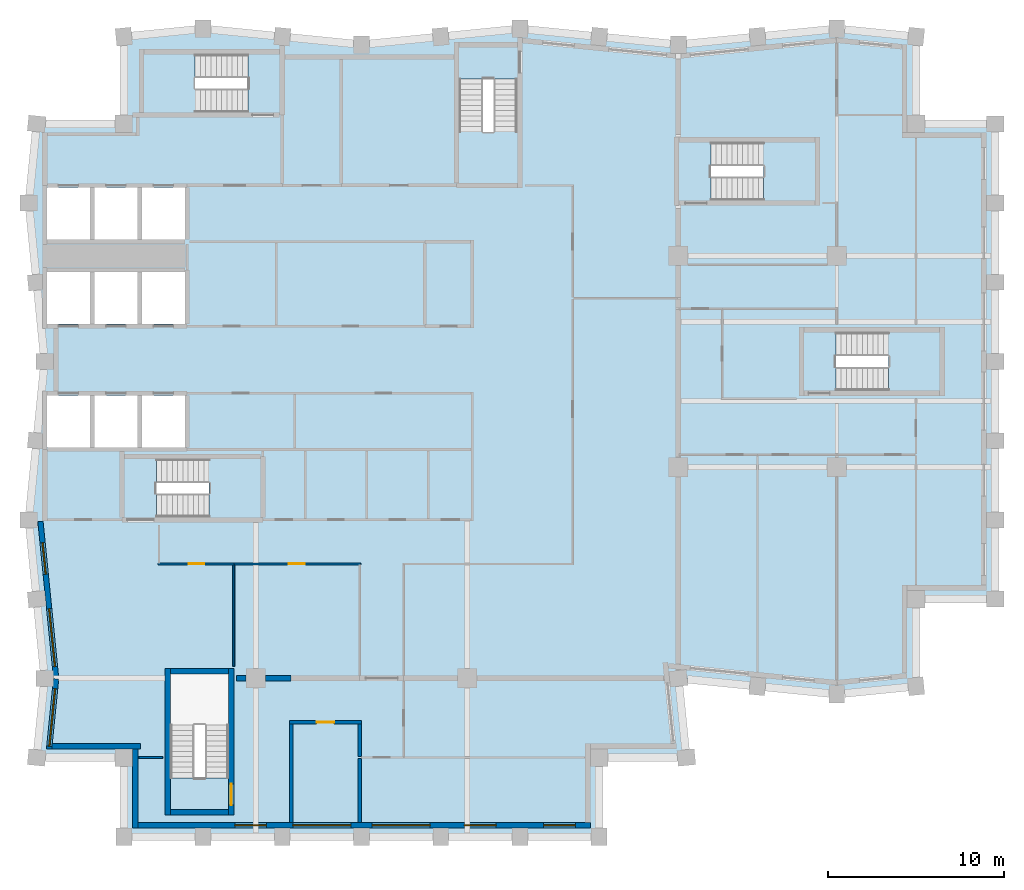
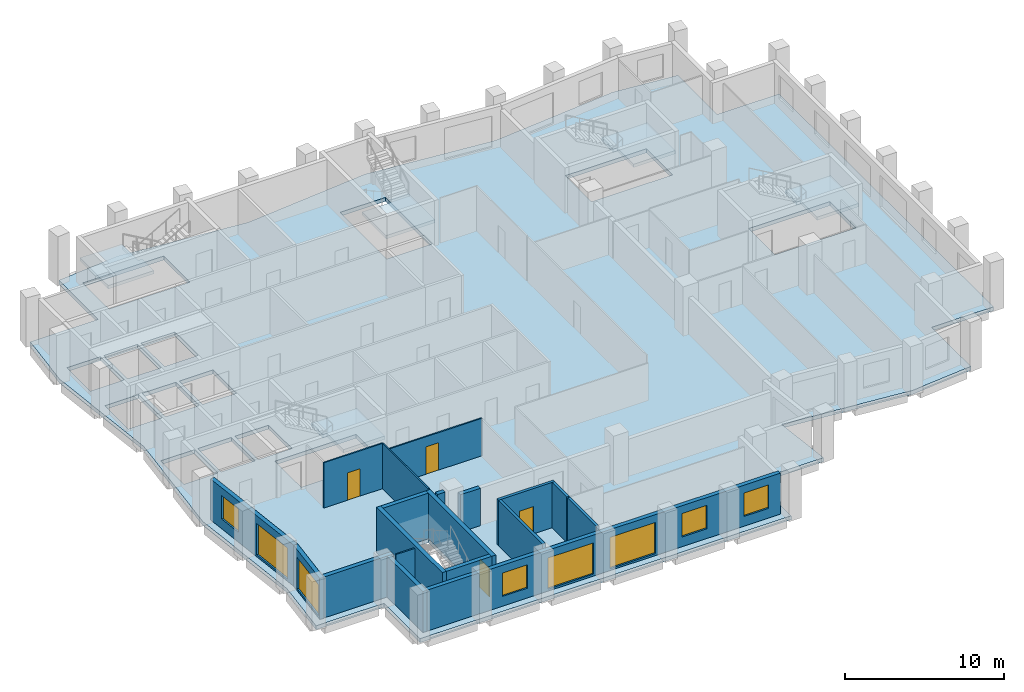
# One storey, part 2 of 8: 19 walls, 8 windows, 6 slabs, 4 doors, 12 openings, 5 elements without a shape of their own.
"""IFC4 building model written with IfcOpenShell, lengths in metres."""

from ifc_helpers import new_model, si_unit, direction, frame, frame_2d, origin, place, context, subcontext, project, spatial, polyline, rectangle, outline, extrude, material, layer, layer_set, type_object, element, fill, aggregate, save


model = new_model("IFC4")

# Units and contexts
model_context = context("Model", 3, precision=1e-05, world=origin(), true_north=direction((0.0, 1.0)))
body_context = subcontext(model_context, "Body", "Model", "MODEL_VIEW")
ifc_project = project(units=[si_unit("LENGTHUNIT", "METRE"), si_unit("AREAUNIT", "SQUARE_METRE"), si_unit("VOLUMEUNIT", "CUBIC_METRE"), si_unit("PLANEANGLEUNIT", "RADIAN"), si_unit("MASSUNIT", "GRAM", prefix="KILO")], contexts=[model_context])

# Site, building, storey
site_placement = place(None, origin())
site = spatial("IfcSite", under=ifc_project, at=site_placement, CompositionType="ELEMENT")
building_placement = place(site_placement, origin())
building = spatial("IfcBuilding", under=site, at=building_placement, Name="Brondeck Convention Tower", CompositionType="ELEMENT")
storey_placement = place(building_placement, frame((0.0, 0.0, 225.39990234375)))
storey = spatial("IfcBuildingStorey", under=building, at=storey_placement, Name="L55", CompositionType="ELEMENT", Elevation=225.39990234375)

# Slab
ifc_material_1 = material(Name="Concrete C35/45", Category="concrete")
ifc_layer_1 = layer(ifc_material_1, 0.300048828125)
ifc_layer_set_1 = layer_set([ifc_layer_1], Name="Composite floor slab 300")
slab_type_1 = type_object("IfcSlabType", Name="Composite floor slab 300", PredefinedType="FLOOR", material=ifc_layer_set_1)
slab_1_placement = place(storey_placement, frame((0.0, 0.0, -0.2998046875)))
element("IfcSlab", 1, at=slab_1_placement, inside=storey, type_object=slab_type_1, Name="STR-SL-L55", PredefinedType="FLOOR", context=body_context, shape_type="SweptSolid", body=[
    extrude(outline(polyline([(4.5, 22.5), (-0.449951171875, 22.5), (0.0, 27.0), (-0.89990234375, 36.0), (0.0, 45.0), (-0.89990234375, 54.0), (-0.449951171875, 58.5), (4.5, 58.5), (4.5, 63.449951171875), (9.0, 63.89990234375), (18.0, 63.0), (27.0, 63.89990234375), (36.0, 63.0), (45.0, 63.89990234375), (49.5, 63.449951171875), (49.5, 58.5), (54.0, 58.5), (54.0, 31.5), (49.5, 31.5), (49.5, 26.550048828125), (45.0, 26.10009765625), (36.0, 27.0), (36.449951171875, 22.5), (31.5, 22.5), (31.5, 18.0), (4.5, 18.0), (4.5, 22.5)]), holes=[polyline([(2.574951171875, 43.074951171875), (0.125, 43.074951171875), (0.125, 40.125), (2.574951171875, 40.125), (2.574951171875, 43.074951171875)]), polyline([(5.27490234375, 40.125), (5.27490234375, 43.074951171875), (2.824951171875, 43.074951171875), (2.824951171875, 40.125), (5.27490234375, 40.125)]), polyline([(7.97509765625, 40.125), (7.97509765625, 43.074951171875), (5.52490234375, 43.074951171875), (5.52490234375, 40.125), (7.97509765625, 40.125)]), polyline([(2.574951171875, 47.125), (2.574951171875, 50.074951171875), (0.125, 50.074951171875), (0.125, 47.125), (2.574951171875, 47.125)]), polyline([(5.27490234375, 47.125), (5.27490234375, 50.074951171875), (2.824951171875, 50.074951171875), (2.824951171875, 47.125), (5.27490234375, 47.125)]), polyline([(7.97509765625, 47.125), (7.97509765625, 50.074951171875), (5.52490234375, 50.074951171875), (5.52490234375, 47.125), (7.97509765625, 47.125)]), polyline([(2.574951171875, 51.925048828125), (2.574951171875, 54.875), (0.125, 54.875), (0.125, 51.925048828125), (2.574951171875, 51.925048828125)]), polyline([(5.27490234375, 51.925048828125), (5.27490234375, 54.875), (2.824951171875, 54.875), (2.824951171875, 51.925048828125), (5.27490234375, 51.925048828125)]), polyline([(10.447998046875, 27.248046875), (7.152099609375, 27.248046875), (7.152099609375, 21.35205078125), (10.447998046875, 21.35205078125), (10.447998046875, 27.248046875)]), polyline([(12.248046875, 36.152099609375), (12.248046875, 39.447998046875), (6.35205078125, 39.447998046875), (6.35205078125, 36.152099609375), (12.248046875, 36.152099609375)]), polyline([(50.847900390625, 43.35205078125), (50.847900390625, 46.64794921875), (44.951904296875, 46.64794921875), (44.951904296875, 43.35205078125), (50.847900390625, 43.35205078125)]), polyline([(7.97509765625, 51.925048828125), (7.97509765625, 54.875), (5.52490234375, 54.875), (5.52490234375, 51.925048828125), (7.97509765625, 51.925048828125)]), polyline([(43.748046875, 54.152099609375), (43.748046875, 57.447998046875), (37.85205078125, 57.447998046875), (37.85205078125, 54.152099609375), (43.748046875, 54.152099609375)]), polyline([(23.552001953125, 55.152099609375), (26.847900390625, 55.152099609375), (26.847900390625, 61.048095703125), (23.552001953125, 61.048095703125), (23.552001953125, 55.152099609375)]), polyline([(5.652099609375, 62.447998046875), (5.652099609375, 59.152099609375), (11.548095703125, 59.152099609375), (11.548095703125, 62.447998046875), (5.652099609375, 62.447998046875)])]), origin(), (0.0, 0.0, 1.0), 0.2998046875),
])

# Stair, slab
ifc_material_2 = material(Name="Precast concrete C50/60", Category="concrete")
stair_type = type_object("IfcStairType", Name="Core stair 22 risers 172.73 mm riser 300 mm going 1350 wide", PredefinedType="HALF_TURN_STAIR", material=ifc_material_2)
stair_1_placement = place(storey_placement, origin())
stair_1 = element("IfcStair", 2, at=stair_1_placement, inside=storey, type_object=stair_type, Name="ST-1 L55 stair", PredefinedType="HALF_TURN_STAIR")
ifc_layer_2 = layer(ifc_material_2, 0.25)
ifc_layer_set_2 = layer_set([ifc_layer_2], Name="Core stair landing 250 Precast concrete C50/60")
slab_type_2 = type_object("IfcSlabType", Name="Core stair landing 250 Precast concrete C50/60", PredefinedType="LANDING", material=ifc_layer_set_2)
slab_2_placement = place(storey_placement, frame((0.0, 0.0, 1.650146484375)))
slab_2 = element("IfcSlab", 3, at=slab_2_placement, type_object=slab_type_2, Name="ST-1 landing 1", PredefinedType="LANDING", context=body_context, shape_type="SweptSolid", body=[
    extrude(outline(polyline([(9.347900390625, 37.5), (9.35009765625, 37.5), (9.35009765625, 38.10009765625), (9.050048828125, 38.10009765625), (9.050048828125, 39.570068359375), (12.3701171875, 39.570068359375), (12.3701171875, 36.030029296875), (9.347900390625, 36.030029296875), (9.347900390625, 37.5)])), origin(), (0.0, 0.0, 1.0), 0.25),
])
aggregate(stair_1, [slab_2])

stair_2_placement = place(storey_placement, origin())
stair_2 = element("IfcStair", 4, at=stair_2_placement, inside=storey, type_object=stair_type, Name="ST-2 L55 stair", PredefinedType="HALF_TURN_STAIR")
slab_3_placement = place(storey_placement, frame((0.0, 0.0, 1.650146484375)))
slab_3 = element("IfcSlab", 5, at=slab_3_placement, type_object=slab_type_2, Name="ST-2 landing 1", PredefinedType="LANDING", context=body_context, shape_type="SweptSolid", body=[
    extrude(outline(polyline([(23.429931640625, 58.052001953125), (24.89990234375, 58.052001953125), (24.89990234375, 58.050048828125), (25.5, 58.050048828125), (25.5, 58.35009765625), (26.969970703125, 58.35009765625), (26.969970703125, 55.030029296875), (23.429931640625, 55.030029296875), (23.429931640625, 58.052001953125)])), origin(), (0.0, 0.0, 1.0), 0.25),
])
aggregate(stair_2, [slab_3])

stair_3_placement = place(storey_placement, origin())
stair_3 = element("IfcStair", 6, at=stair_3_placement, inside=storey, type_object=stair_type, Name="ST-3 L55 stair", PredefinedType="HALF_TURN_STAIR")
slab_4_placement = place(storey_placement, frame((0.0, 0.0, 1.650146484375)))
slab_4 = element("IfcSlab", 7, at=slab_4_placement, type_object=slab_type_2, Name="ST-3 landing 1", PredefinedType="LANDING", context=body_context, shape_type="SweptSolid", body=[
    extrude(outline(polyline([(8.85009765625, 60.5), (8.85009765625, 59.030029296875), (5.530029296875, 59.030029296875), (5.530029296875, 62.570068359375), (8.552001953125, 62.570068359375), (8.552001953125, 61.10009765625), (8.550048828125, 61.10009765625), (8.550048828125, 60.5), (8.85009765625, 60.5)])), origin(), (0.0, 0.0, 1.0), 0.25),
])
aggregate(stair_3, [slab_4])

stair_4_placement = place(storey_placement, origin())
stair_4 = element("IfcStair", 8, at=stair_4_placement, inside=storey, type_object=stair_type, Name="ST-AE L55 stair", PredefinedType="HALF_TURN_STAIR")
slab_5_placement = place(storey_placement, frame((0.0, 0.0, 1.650146484375)))
slab_5 = element("IfcSlab", 9, at=slab_5_placement, type_object=slab_type_2, Name="ST-AE landing 1", PredefinedType="LANDING", context=body_context, shape_type="SweptSolid", body=[
    extrude(outline(polyline([(40.847900390625, 55.5), (40.85009765625, 55.5), (40.85009765625, 56.10009765625), (40.550048828125, 56.10009765625), (40.550048828125, 57.570068359375), (43.8701171875, 57.570068359375), (43.8701171875, 54.030029296875), (40.847900390625, 54.030029296875), (40.847900390625, 55.5)])), origin(), (0.0, 0.0, 1.0), 0.25),
])
aggregate(stair_4, [slab_5])

stair_5_placement = place(storey_placement, origin())
stair_5 = element("IfcStair", 10, at=stair_5_placement, inside=storey, type_object=stair_type, Name="ST-AF L55 stair", PredefinedType="HALF_TURN_STAIR")
slab_6_placement = place(storey_placement, frame((0.0, 0.0, 1.650146484375)))
slab_6 = element("IfcSlab", 11, at=slab_6_placement, type_object=slab_type_2, Name="ST-AF landing 1", PredefinedType="LANDING", context=body_context, shape_type="SweptSolid", body=[
    extrude(outline(polyline([(47.947998046875, 44.699951171875), (47.949951171875, 44.699951171875), (47.949951171875, 45.300048828125), (47.64990234375, 45.300048828125), (47.64990234375, 46.77001953125), (50.969970703125, 46.77001953125), (50.969970703125, 43.22998046875), (47.947998046875, 43.22998046875), (47.947998046875, 44.699951171875)])), origin(), (0.0, 0.0, 1.0), 0.25),
])
aggregate(stair_5, [slab_6])

# Walls
ifc_material_3 = material(Name="Concrete compartment wall C30/37", Category="concrete")
ifc_layer_3 = layer(ifc_material_3, 0.300048828125)
ifc_layer_set_3 = layer_set([ifc_layer_3], Name="Compartment wall 300")
wall_type_1 = type_object("IfcWallType", Name="Compartment wall 300", PredefinedType="PARTITIONING", material=ifc_layer_set_3)
wall_1_placement = place(storey_placement, frame((10.89990234375, 27.0, 0.0), z_axis=(0.0, 0.0, 1.0), x_axis=(1.0, 0.0, 0.0)))
element("IfcWall", 12, at=wall_1_placement, inside=storey, type_object=wall_type_1, Name="FLR-L55-W013", PredefinedType="PARTITIONING", context=body_context, shape_type="SweptSolid", body=[
    extrude(rectangle(XDim=0.545166015625, YDim=0.300048828125, at=frame_2d((0.2724609375, 0.0))), origin(), (0.0, 0.0, 1.0), 3.47998046875),
])
wall_2_placement = place(storey_placement, frame((12.554931640625, 27.0, 0.0), z_axis=(0.0, 0.0, 1.0), x_axis=(1.0, 0.0, 0.0)))
element("IfcWall", 13, at=wall_2_placement, inside=storey, type_object=wall_type_1, Name="FLR-L55-W014", PredefinedType="PARTITIONING", context=body_context, shape_type="SweptSolid", body=[
    extrude(rectangle(XDim=1.445068359375, YDim=0.300048828125, at=frame_2d((0.72265625, 0.0))), origin(), (0.0, 0.0, 1.0), 2.880126953125),
])

# Wall, openings, windows
ifc_material_4 = material(Name="Precast concrete C50/60 bronze finish", Category="concrete")
ifc_layer_4 = layer(ifc_material_4, 0.070068359375, Name="Bronze precast facing")
ifc_material_5 = material(Name="Mineral wool")
ifc_layer_5 = layer(ifc_material_5, 0.159912109375, Name="Insulation")
ifc_layer_6 = layer(ifc_material_1, 0.070068359375, Name="Backing")
ifc_layer_set_4 = layer_set([ifc_layer_4, ifc_layer_5, ifc_layer_6], Name="External infill wall, precast concrete C50/60 bronze facing")
wall_type_2 = type_object("IfcWallType", Name="External infill wall, precast concrete C50/60 bronze facing", PredefinedType="SOLIDWALL", material=ifc_layer_set_4)
wall_3_placement = place(storey_placement, frame((31.0, 18.64990234375, 0.0), z_axis=(0.0, 0.0, 1.0), x_axis=(-1.0, 0.0, 0.0)))
wall_3 = element("IfcWall", 14, at=wall_3_placement, inside=storey, type_object=wall_type_2, Name="ENV-EW-L55-P2-B-S18-01", PredefinedType="SOLIDWALL", context=body_context, shape_type="SweptSolid", body=[
    extrude(rectangle(XDim=25.699951171875, YDim=0.300048828125, at=frame_2d((12.85009765625, 0.0))), origin(), (0.0, 0.0, 1.0), 3.150146484375),
])
opening_1_placement = place(wall_3_placement, frame((0.85009765625, 0.0, 0.75)))
opening_1 = element("IfcOpeningElement", 15, at=opening_1_placement, cuts=wall_3, Name="Opening W10", PredefinedType="OPENING", context=body_context, shape_type="SweptSolid", body=[
    extrude(rectangle(XDim=1.800048828125, YDim=1.800048828125, at=frame_2d((0.89990234375, 0.89990234375))), frame((0.0, 0.159912109375, 0.0), z_axis=(0.0, -1.0, 0.0), x_axis=(1.0, 0.0, 0.0)), (0.0, 0.0, 1.0), 0.320068359375),
])
opening_2_placement = place(wall_3_placement, frame((5.35009765625, 0.0, 0.75)))
opening_2 = element("IfcOpeningElement", 16, at=opening_2_placement, cuts=wall_3, Name="Opening W10", PredefinedType="OPENING", context=body_context, shape_type="SweptSolid", body=[
    extrude(rectangle(XDim=1.800048828125, YDim=1.800048828125, at=frame_2d((0.89990234375, 0.89990234375))), frame((0.0, 0.159912109375, 0.0), z_axis=(0.0, -1.0, 0.0), x_axis=(1.0, 0.0, 0.0)), (0.0, 0.0, 1.0), 0.320068359375),
])
opening_3_placement = place(wall_3_placement, frame((9.10009765625, 0.0, 0.14990234375)))
opening_3 = element("IfcOpeningElement", 17, at=opening_3_placement, cuts=wall_3, Name="Opening W9", PredefinedType="OPENING", context=body_context, shape_type="SweptSolid", body=[
    extrude(rectangle(XDim=3.300048828125, YDim=2.39990234375, at=frame_2d((1.64990234375, 1.199951171875))), frame((0.0, 0.159912109375, 0.0), z_axis=(0.0, -1.0, 0.0), x_axis=(1.0, 0.0, 0.0)), (0.0, 0.0, 1.0), 0.320068359375),
])
opening_4_placement = place(wall_3_placement, frame((13.60009765625, 0.0, 0.14990234375)))
opening_4 = element("IfcOpeningElement", 18, at=opening_4_placement, cuts=wall_3, Name="Opening W9", PredefinedType="OPENING", context=body_context, shape_type="SweptSolid", body=[
    extrude(rectangle(XDim=3.300048828125, YDim=2.39990234375, at=frame_2d((1.64990234375, 1.199951171875))), frame((0.0, 0.159912109375, 0.0), z_axis=(0.0, -1.0, 0.0), x_axis=(1.0, 0.0, 0.0)), (0.0, 0.0, 1.0), 0.320068359375),
])
opening_5_placement = place(wall_3_placement, frame((18.39990234375, 0.0, 0.75)))
opening_5 = element("IfcOpeningElement", 19, at=opening_5_placement, cuts=wall_3, Name="Opening W10", PredefinedType="OPENING", context=body_context, shape_type="SweptSolid", body=[
    extrude(rectangle(XDim=1.800048828125, YDim=1.800048828125, at=frame_2d((0.89990234375, 0.89990234375))), frame((0.0, 0.159912109375, 0.0), z_axis=(0.0, -1.0, 0.0), x_axis=(1.0, 0.0, 0.0)), (0.0, 0.0, 1.0), 0.320068359375),
])
ifc_material_6 = material(Name="Bronze tinted double glazing", Category="glass")
window_type_1 = type_object("IfcWindowType", Name="Glazed flute window, bronze tinted", PartitioningType="SINGLE_PANEL", PredefinedType="WINDOW", material=ifc_material_6)
window_1_placement = place(opening_3_placement, origin())
window_1 = element("IfcWindow", 20, at=window_1_placement, inside=storey, type_object=window_type_1, Name="ENV-WN-L55-P2-B-S18-04", OverallHeight=2.39990234375, OverallWidth=3.300048828125, PartitioningType="SINGLE_PANEL", PredefinedType="WINDOW", context=body_context, shape_type="SweptSolid", body=[
    extrude(rectangle(XDim=3.300048828125, YDim=2.39990234375, at=frame_2d((1.64990234375, 1.199951171875))), frame((0.0, 0.030029296875, 0.0), z_axis=(0.0, -1.0, 0.0), x_axis=(1.0, 0.0, 0.0)), (0.0, 0.0, 1.0), 0.06005859375),
])
fill(opening_3, window_1)
window_2_placement = place(opening_4_placement, origin())
window_2 = element("IfcWindow", 21, at=window_2_placement, inside=storey, type_object=window_type_1, Name="ENV-WN-L55-P2-B-S18-03", OverallHeight=2.39990234375, OverallWidth=3.300048828125, PartitioningType="SINGLE_PANEL", PredefinedType="WINDOW", context=body_context, shape_type="SweptSolid", body=[
    extrude(rectangle(XDim=3.300048828125, YDim=2.39990234375, at=frame_2d((1.64990234375, 1.199951171875))), frame((0.0, 0.030029296875, 0.0), z_axis=(0.0, -1.0, 0.0), x_axis=(1.0, 0.0, 0.0)), (0.0, 0.0, 1.0), 0.06005859375),
])
fill(opening_4, window_2)
window_type_2 = type_object("IfcWindowType", Name="Punched window, bronze tinted", PartitioningType="SINGLE_PANEL", PredefinedType="WINDOW", material=ifc_material_6)
window_3_placement = place(opening_1_placement, origin())
window_3 = element("IfcWindow", 22, at=window_3_placement, inside=storey, type_object=window_type_2, Name="ENV-WN-L55-P2-B-S18-06", OverallHeight=1.800048828125, OverallWidth=1.800048828125, PartitioningType="SINGLE_PANEL", PredefinedType="WINDOW", context=body_context, shape_type="SweptSolid", body=[
    extrude(rectangle(XDim=1.800048828125, YDim=1.800048828125, at=frame_2d((0.89990234375, 0.89990234375))), frame((0.0, 0.030029296875, 0.0), z_axis=(0.0, -1.0, 0.0), x_axis=(1.0, 0.0, 0.0)), (0.0, 0.0, 1.0), 0.06005859375),
])
fill(opening_1, window_3)
window_4_placement = place(opening_2_placement, origin())
window_4 = element("IfcWindow", 23, at=window_4_placement, inside=storey, type_object=window_type_2, Name="ENV-WN-L55-P2-B-S18-05", OverallHeight=1.800048828125, OverallWidth=1.800048828125, PartitioningType="SINGLE_PANEL", PredefinedType="WINDOW", context=body_context, shape_type="SweptSolid", body=[
    extrude(rectangle(XDim=1.800048828125, YDim=1.800048828125, at=frame_2d((0.89990234375, 0.89990234375))), frame((0.0, 0.030029296875, 0.0), z_axis=(0.0, -1.0, 0.0), x_axis=(1.0, 0.0, 0.0)), (0.0, 0.0, 1.0), 0.06005859375),
])
fill(opening_2, window_4)
window_5_placement = place(opening_5_placement, origin())
window_5 = element("IfcWindow", 24, at=window_5_placement, inside=storey, type_object=window_type_2, Name="ENV-WN-L55-P2-B-S18-02", OverallHeight=1.800048828125, OverallWidth=1.800048828125, PartitioningType="SINGLE_PANEL", PredefinedType="WINDOW", context=body_context, shape_type="SweptSolid", body=[
    extrude(rectangle(XDim=1.800048828125, YDim=1.800048828125, at=frame_2d((0.89990234375, 0.89990234375))), frame((0.0, 0.030029296875, 0.0), z_axis=(0.0, -1.0, 0.0), x_axis=(1.0, 0.0, 0.0)), (0.0, 0.0, 1.0), 0.06005859375),
])
fill(opening_5, window_5)

wall_4_placement = place(storey_placement, frame((0.65478515625, 26.985107421875, 0.0), z_axis=(0.0, 0.0, 1.0), x_axis=(-0.099509105781, 0.995036651519, 0.0)))
wall_4 = element("IfcWall", 25, at=wall_4_placement, inside=storey, type_object=wall_type_2, Name="ENV-EW-L55-P2-B-W-06", PredefinedType="SOLIDWALL", context=body_context, shape_type="SweptSolid", body=[
    extrude(rectangle(XDim=8.974609375, YDim=0.300048828125, at=frame_2d((4.4873046875, 0.0))), origin(), (0.0, 0.0, 1.0), 3.150146484375),
])
opening_6_placement = place(wall_4_placement, frame((0.691162109375, 0.0, 0.14990234375)))
opening_6 = element("IfcOpeningElement", 26, at=opening_6_placement, cuts=wall_4, Name="Opening W9", PredefinedType="OPENING", context=body_context, shape_type="SweptSolid", body=[
    extrude(rectangle(XDim=3.300048828125, YDim=2.39990234375, at=frame_2d((1.64990234375, 1.199951171875))), frame((0.0, 0.159912109375, 0.0), z_axis=(0.0, -1.0, 0.0), x_axis=(1.0, 0.0, 0.0)), (0.0, 0.0, 1.0), 0.320068359375),
])
opening_7_placement = place(wall_4_placement, frame((5.963623046875, 0.0, 0.75)))
opening_7 = element("IfcOpeningElement", 27, at=opening_7_placement, cuts=wall_4, Name="Opening W10", PredefinedType="OPENING", context=body_context, shape_type="SweptSolid", body=[
    extrude(rectangle(XDim=1.800048828125, YDim=1.800048828125, at=frame_2d((0.89990234375, 0.89990234375))), frame((0.0, 0.159912109375, 0.0), z_axis=(0.0, -1.0, 0.0), x_axis=(1.0, 0.0, 0.0)), (0.0, 0.0, 1.0), 0.320068359375),
])
window_6_placement = place(opening_6_placement, origin())
window_6 = element("IfcWindow", 28, at=window_6_placement, inside=storey, type_object=window_type_1, Name="ENV-WN-L55-P2-B-W-07", OverallHeight=2.39990234375, OverallWidth=3.300048828125, PartitioningType="SINGLE_PANEL", PredefinedType="WINDOW", context=body_context, shape_type="SweptSolid", body=[
    extrude(rectangle(XDim=3.300048828125, YDim=2.39990234375, at=frame_2d((1.64990234375, 1.199951171875))), frame((0.0, 0.030029296875, 0.0), z_axis=(0.0, -1.0, 0.0), x_axis=(1.0, 0.0, 0.0)), (0.0, 0.0, 1.0), 0.06005859375),
])
fill(opening_6, window_6)
window_7_placement = place(opening_7_placement, origin())
window_7 = element("IfcWindow", 29, at=window_7_placement, inside=storey, type_object=window_type_2, Name="ENV-WN-L55-P2-B-W-06", OverallHeight=1.800048828125, OverallWidth=1.800048828125, PartitioningType="SINGLE_PANEL", PredefinedType="WINDOW", context=body_context, shape_type="SweptSolid", body=[
    extrude(rectangle(XDim=1.800048828125, YDim=1.800048828125, at=frame_2d((0.89990234375, 0.89990234375))), frame((0.0, 0.030029296875, 0.0), z_axis=(0.0, -1.0, 0.0), x_axis=(1.0, 0.0, 0.0)), (0.0, 0.0, 1.0), 0.06005859375),
])
fill(opening_7, window_7)

# Wall, opening, window
wall_5_placement = place(storey_placement, frame((0.251708984375, 22.985107421875, 0.0), z_axis=(0.0, 0.0, 1.0), x_axis=(0.09954596771, 0.995032964435, 0.0)))
wall_5 = element("IfcWall", 30, at=wall_5_placement, inside=storey, type_object=wall_type_2, Name="ENV-EW-L55-P2-B-W-08", PredefinedType="SOLIDWALL", context=body_context, shape_type="SweptSolid", body=[
    extrude(rectangle(XDim=4.0048828125, YDim=0.300048828125, at=frame_2d((2.00244140625, 0.0))), origin(), (0.0, 0.0, 1.0), 3.150146484375),
])
opening_8_placement = place(wall_5_placement, frame((0.14990234375, 0.0, 0.14990234375)))
opening_8 = element("IfcOpeningElement", 31, at=opening_8_placement, cuts=wall_5, Name="Opening W9", PredefinedType="OPENING", context=body_context, shape_type="SweptSolid", body=[
    extrude(rectangle(XDim=3.300048828125, YDim=2.39990234375, at=frame_2d((1.64990234375, 1.199951171875))), frame((0.0, 0.159912109375, 0.0), z_axis=(0.0, -1.0, 0.0), x_axis=(1.0, 0.0, 0.0)), (0.0, 0.0, 1.0), 0.320068359375),
])
window_8_placement = place(opening_8_placement, origin())
window_8 = element("IfcWindow", 32, at=window_8_placement, inside=storey, type_object=window_type_1, Name="ENV-WN-L55-P2-B-W-08", OverallHeight=2.39990234375, OverallWidth=3.300048828125, PartitioningType="SINGLE_PANEL", PredefinedType="WINDOW", context=body_context, shape_type="SweptSolid", body=[
    extrude(rectangle(XDim=3.300048828125, YDim=2.39990234375, at=frame_2d((1.64990234375, 1.199951171875))), frame((0.0, 0.030029296875, 0.0), z_axis=(0.0, -1.0, 0.0), x_axis=(1.0, 0.0, 0.0)), (0.0, 0.0, 1.0), 0.06005859375),
])
fill(opening_8, window_8)

# Walls
wall_6_placement = place(storey_placement, frame((5.449951171875, 23.14990234375, 0.0), z_axis=(0.0, 0.0, 1.0), x_axis=(-1.0, 0.0, 0.0)))
element("IfcWall", 33, at=wall_6_placement, inside=storey, type_object=wall_type_2, Name="ENV-EW-L55-P2-NC-SWB18-01", PredefinedType="SOLIDWALL", context=body_context, shape_type="SweptSolid", body=[
    extrude(rectangle(XDim=5.025634765625, YDim=0.300048828125, at=frame_2d((2.5126953125, 0.0))), origin(), (0.0, 0.0, 1.0), 3.150146484375),
])
wall_7_placement = place(storey_placement, frame((5.14990234375, 18.5, 0.0), z_axis=(0.0, 0.0, 1.0), x_axis=(0.0, 1.0, 0.0)))
element("IfcWall", 34, at=wall_7_placement, inside=storey, type_object=wall_type_2, Name="ENV-EW-L55-P2-NC-SWB18-02", PredefinedType="SOLIDWALL", context=body_context, shape_type="SweptSolid", body=[
    extrude(rectangle(XDim=4.5, YDim=0.300048828125, at=frame_2d((2.25, 0.0))), origin(), (0.0, 0.0, 1.0), 3.150146484375),
])
ifc_material_7 = material(Name="Concrete block wall C16/20", Category="concrete")
ifc_layer_7 = layer(ifc_material_7, 0.199951171875)
ifc_layer_set_5 = layer_set([ifc_layer_7], Name="Plant room wall 200")
wall_type_3 = type_object("IfcWallType", Name="Plant room wall 200", PredefinedType="PARTITIONING", material=ifc_layer_set_5)
wall_8_placement = place(storey_placement, frame((17.89990234375, 22.449951171875, 0.0), z_axis=(0.0, 0.0, 1.0), x_axis=(0.0, -1.0, 0.0)))
element("IfcWall", 35, at=wall_8_placement, inside=storey, type_object=wall_type_3, Name="FLR-L55-W001", PredefinedType="PARTITIONING", context=body_context, shape_type="SweptSolid", body=[
    extrude(rectangle(XDim=3.6298828125, YDim=0.199951171875, at=frame_2d((1.81494140625, 0.0))), origin(), (0.0, 0.0, 1.0), 3.47998046875),
])
wall_9_placement = place(storey_placement, frame((17.89990234375, 22.550048828125, 0.0), z_axis=(0.0, 0.0, 1.0), x_axis=(0.0, 1.0, 0.0)))
element("IfcWall", 36, at=wall_9_placement, inside=storey, type_object=wall_type_3, Name="FLR-L55-W006", PredefinedType="PARTITIONING", context=body_context, shape_type="SweptSolid", body=[
    extrude(rectangle(XDim=1.849853515625, YDim=0.199951171875, at=frame_2d((0.9248046875, 0.0))), origin(), (0.0, 0.0, 1.0), 3.47998046875),
])
wall_10_placement = place(storey_placement, frame((14.0, 24.39990234375, 0.0), z_axis=(0.0, 0.0, 1.0), x_axis=(0.0, -1.0, 0.0)))
element("IfcWall", 37, at=wall_10_placement, inside=storey, type_object=wall_type_3, Name="FLR-L55-W009", PredefinedType="PARTITIONING", context=body_context, shape_type="SweptSolid", body=[
    extrude(rectangle(XDim=5.579833984375, YDim=0.199951171875, at=frame_2d((2.7900390625, 0.0))), origin(), (0.0, 0.0, 1.0), 3.47998046875),
])

# Wall, opening, door
wall_11_placement = place(storey_placement, frame((18.0, 24.5, 0.0), z_axis=(0.0, 0.0, 1.0), x_axis=(-1.0, 0.0, 0.0)))
wall_11 = element("IfcWall", 38, at=wall_11_placement, inside=storey, type_object=wall_type_3, Name="FLR-L55-W010", PredefinedType="PARTITIONING", context=body_context, shape_type="SweptSolid", body=[
    extrude(rectangle(XDim=4.10009765625, YDim=0.199951171875, at=frame_2d((2.050048828125, 0.0))), origin(), (0.0, 0.0, 1.0), 3.47998046875),
])
opening_9_placement = place(wall_11_placement, frame((1.550048828125, 0.0, 0.0)))
opening_9 = element("IfcOpeningElement", 39, at=opening_9_placement, cuts=wall_11, Name="Opening OF-M-002", PredefinedType="OPENING", context=body_context, shape_type="SweptSolid", body=[
    extrude(rectangle(XDim=1.0, YDim=2.10009765625, at=frame_2d((0.5, 1.050048828125))), frame((0.0, 0.10986328125, 0.0), z_axis=(0.0, -1.0, 0.0), x_axis=(1.0, 0.0, 0.0)), (0.0, 0.0, 1.0), 0.219970703125),
])
ifc_material_8 = material(Name="Steel fire door leaf", Category="steel")
door_type_1 = type_object("IfcDoorType", Name="Plant room door 1000", OperationType="NOTDEFINED", PredefinedType="DOOR", material=ifc_material_8)
door_1_placement = place(opening_9_placement, origin())
door_1 = element("IfcDoor", 40, at=door_1_placement, inside=storey, type_object=door_type_1, Name="Door OF-M-002", OperationType="SINGLE_SWING_RIGHT", OverallHeight=2.10009765625, OverallWidth=1.0, PredefinedType="DOOR", context=body_context, shape_type="SweptSolid", body=[
    extrude(rectangle(XDim=1.0, YDim=2.10009765625, at=frame_2d((0.5, 1.050048828125))), frame((0.0, 0.02490234375, 0.0), z_axis=(0.0, -1.0, 0.0), x_axis=(1.0, 0.0, 0.0)), (0.0, 0.0, 1.0), 0.050048828125),
])
fill(opening_9, door_1)

# Walls
ifc_material_9 = material(Name="Gypsum board partition on steel studs", Category="steel")
ifc_layer_8 = layer(ifc_material_9, 0.10009765625)
ifc_layer_set_6 = layer_set([ifc_layer_8], Name="Room partition 100")
wall_type_4 = type_object("IfcWallType", Name="Room partition 100", PredefinedType="PARTITIONING", material=ifc_layer_set_6)
wall_12_placement = place(storey_placement, frame((5.35009765625, 22.5, 0.0), z_axis=(0.0, 0.0, 1.0), x_axis=(1.0, 0.0, 0.0)))
element("IfcWall", 41, at=wall_12_placement, inside=storey, type_object=wall_type_4, Name="FLR-L55-W002", PredefinedType="PARTITIONING", context=body_context, shape_type="SweptSolid", body=[
    extrude(rectangle(XDim=1.349853515625, YDim=0.10009765625, at=frame_2d((0.6748046875, 0.0))), origin(), (0.0, 0.0, 1.0), 3.47998046875),
])
wall_13_placement = place(storey_placement, frame((10.748046875, 33.449951171875, 0.0), z_axis=(0.0, 0.0, 1.0), x_axis=(0.0, -1.0, 0.0)))
element("IfcWall", 42, at=wall_13_placement, inside=storey, type_object=wall_type_4, Name="FLR-L55-W024", PredefinedType="PARTITIONING", context=body_context, shape_type="SweptSolid", body=[
    extrude(rectangle(XDim=5.75, YDim=0.10009765625, at=frame_2d((2.875, 0.0))), origin(), (0.0, 0.0, 1.0), 3.47998046875),
])

# Wall, opening, door
wall_14_placement = place(storey_placement, frame((10.748046875, 33.5, 0.0), z_axis=(0.0, 0.0, 1.0), x_axis=(-1.0, 0.0, 0.0)))
wall_14 = element("IfcWall", 43, at=wall_14_placement, inside=storey, type_object=wall_type_4, Name="FLR-L55-W026", PredefinedType="PARTITIONING", context=body_context, shape_type="SweptSolid", body=[
    extrude(rectangle(XDim=4.298095703125, YDim=0.10009765625, at=frame_2d((2.14892578125, 0.0))), origin(), (0.0, 0.0, 1.0), 3.47998046875),
])
opening_10_placement = place(wall_14_placement, frame((1.674072265625, 0.0, 0.0)))
opening_10 = element("IfcOpeningElement", 44, at=opening_10_placement, cuts=wall_14, Name="Opening OF-M-011", PredefinedType="OPENING", context=body_context, shape_type="SweptSolid", body=[
    extrude(rectangle(XDim=0.89990234375, YDim=2.10009765625, at=frame_2d((0.449951171875, 1.050048828125))), frame((0.0, 0.06005859375, 0.0), z_axis=(0.0, -1.0, 0.0), x_axis=(1.0, 0.0, 0.0)), (0.0, 0.0, 1.0), 0.1201171875),
])
ifc_material_10 = material(Name="Solid timber door leaf", Category="wood")
door_type_2 = type_object("IfcDoorType", Name="Single door 900", OperationType="NOTDEFINED", PredefinedType="DOOR", material=ifc_material_10)
door_2_placement = place(opening_10_placement, origin())
door_2 = element("IfcDoor", 45, at=door_2_placement, inside=storey, type_object=door_type_2, Name="Door OF-M-011", OperationType="SINGLE_SWING_RIGHT", OverallHeight=2.10009765625, OverallWidth=0.89990234375, PredefinedType="DOOR", context=body_context, shape_type="SweptSolid", body=[
    extrude(rectangle(XDim=0.89990234375, YDim=2.10009765625, at=frame_2d((0.449951171875, 1.050048828125))), frame((0.0, 0.02490234375, 0.0), z_axis=(0.0, -1.0, 0.0), x_axis=(1.0, 0.0, 0.0)), (0.0, 0.0, 1.0), 0.050048828125),
])
fill(opening_10, door_2)

wall_15_placement = place(storey_placement, frame((17.949951171875, 33.5, 0.0), z_axis=(0.0, 0.0, 1.0), x_axis=(-1.0, 0.0, 0.0)))
wall_15 = element("IfcWall", 46, at=wall_15_placement, inside=storey, type_object=wall_type_4, Name="FLR-L55-W027", PredefinedType="PARTITIONING", context=body_context, shape_type="SweptSolid", body=[
    extrude(rectangle(XDim=7.201904296875, YDim=0.10009765625, at=frame_2d((3.60107421875, 0.0))), origin(), (0.0, 0.0, 1.0), 2.880126953125),
])
opening_11_placement = place(wall_15_placement, frame((3.176025390625, 0.0, 0.0)))
opening_11 = element("IfcOpeningElement", 47, at=opening_11_placement, cuts=wall_15, Name="Opening OF-M-012", PredefinedType="OPENING", context=body_context, shape_type="SweptSolid", body=[
    extrude(rectangle(XDim=0.89990234375, YDim=2.10009765625, at=frame_2d((0.449951171875, 1.050048828125))), frame((0.0, 0.06005859375, 0.0), z_axis=(0.0, -1.0, 0.0), x_axis=(1.0, 0.0, 0.0)), (0.0, 0.0, 1.0), 0.1201171875),
])
door_3_placement = place(opening_11_placement, origin())
door_3 = element("IfcDoor", 48, at=door_3_placement, inside=storey, type_object=door_type_2, Name="Door OF-M-012", OperationType="SINGLE_SWING_RIGHT", OverallHeight=2.10009765625, OverallWidth=0.89990234375, PredefinedType="DOOR", context=body_context, shape_type="SweptSolid", body=[
    extrude(rectangle(XDim=0.89990234375, YDim=2.10009765625, at=frame_2d((0.449951171875, 1.050048828125))), frame((0.0, 0.02490234375, 0.0), z_axis=(0.0, -1.0, 0.0), x_axis=(1.0, 0.0, 0.0)), (0.0, 0.0, 1.0), 0.050048828125),
])
fill(opening_11, door_3)

# Walls
ifc_material_11 = material(Name="Concrete C50/60", Category="concrete")
ifc_layer_9 = layer(ifc_material_11, 0.300048828125)
ifc_layer_set_7 = layer_set([ifc_layer_9], Name="Stair enclosure wall 300 Concrete C50/60")
wall_type_5 = type_object("IfcWallType", Name="Stair enclosure wall 300 Concrete C50/60", PredefinedType="SHEAR", material=ifc_layer_set_7)
for number, where, z_axis, x_axis, name in (
    (49, (7.14990234375, 19.39990234375, 0.0), (0.0, 0.0, 1.0), (1.0, 0.0, 0.0), "L55 core wall"),
    (50, (7.14990234375, 27.39990234375, 0.0), (0.0, 0.0, 1.0), (1.0, 0.0, 0.0), "L55 core wall"),
):
    element("IfcWall", number, at=place(storey_placement, frame(where, z_axis=z_axis, x_axis=x_axis)), inside=storey, type_object=wall_type_5, Name=name, PredefinedType="SHEAR", context=body_context, shape_type="SweptSolid", body=[
        extrude(rectangle(XDim=3.300048828125, YDim=0.300048828125, at=frame_2d((1.64990234375, 0.0))), origin(), (0.0, 0.0, 1.0), 3.5),
    ])
wall_16_placement = place(storey_placement, frame((7.0, 19.25, 0.0), z_axis=(0.0, 0.0, 1.0), x_axis=(0.0, 1.0, 0.0)))
element("IfcWall", 51, at=wall_16_placement, inside=storey, type_object=wall_type_5, Name="L55 core wall", PredefinedType="SHEAR", context=body_context, shape_type="SweptSolid", body=[
    extrude(rectangle(XDim=8.300048828125, YDim=0.300048828125, at=frame_2d((4.14990234375, 0.0))), origin(), (0.0, 0.0, 1.0), 3.5),
])

# Wall, opening, door
wall_17_placement = place(storey_placement, frame((10.60009765625, 19.25, 0.0), z_axis=(0.0, 0.0, 1.0), x_axis=(0.0, 1.0, 0.0)))
wall_17 = element("IfcWall", 52, at=wall_17_placement, inside=storey, type_object=wall_type_5, Name="L55 core wall", PredefinedType="SHEAR", context=body_context, shape_type="SweptSolid", body=[
    extrude(rectangle(XDim=8.300048828125, YDim=0.300048828125, at=frame_2d((4.14990234375, 0.0))), origin(), (0.0, 0.0, 1.0), 3.5),
])
opening_12_placement = place(wall_17_placement, frame((0.550048828125, 0.0, 0.0)))
opening_12 = element("IfcOpeningElement", 53, at=opening_12_placement, cuts=wall_17, Name="Opening C30-19", PredefinedType="OPENING", context=body_context, shape_type="SweptSolid", body=[
    extrude(rectangle(XDim=1.199951171875, YDim=2.199951171875, at=frame_2d((0.60009765625, 1.10009765625))), frame((0.0, 0.159912109375, 0.0), z_axis=(0.0, -1.0, 0.0), x_axis=(1.0, 0.0, 0.0)), (0.0, 0.0, 1.0), 0.320068359375),
])
ifc_material_12 = material(Name="Steel fire door", Category="steel")
door_type_3 = type_object("IfcDoorType", Name="Stair door 1200x2200 EI 90", OperationType="NOTDEFINED", PredefinedType="DOOR", material=ifc_material_12)
door_4_placement = place(opening_12_placement, origin())
door_4 = element("IfcDoor", 54, at=door_4_placement, inside=storey, type_object=door_type_3, Name="L55 Stair door ST-BE", OperationType="SINGLE_SWING_RIGHT", OverallHeight=2.199951171875, OverallWidth=1.199951171875, PredefinedType="DOOR", context=body_context, shape_type="SweptSolid", body=[
    extrude(rectangle(XDim=1.199951171875, YDim=2.199951171875, at=frame_2d((0.60009765625, 1.10009765625))), frame((0.0, 0.02490234375, 0.0), z_axis=(0.0, -1.0, 0.0), x_axis=(1.0, 0.0, 0.0)), (0.0, 0.0, 1.0), 0.050048828125),
])
fill(opening_12, door_4)

save(model, "model.ifc")
